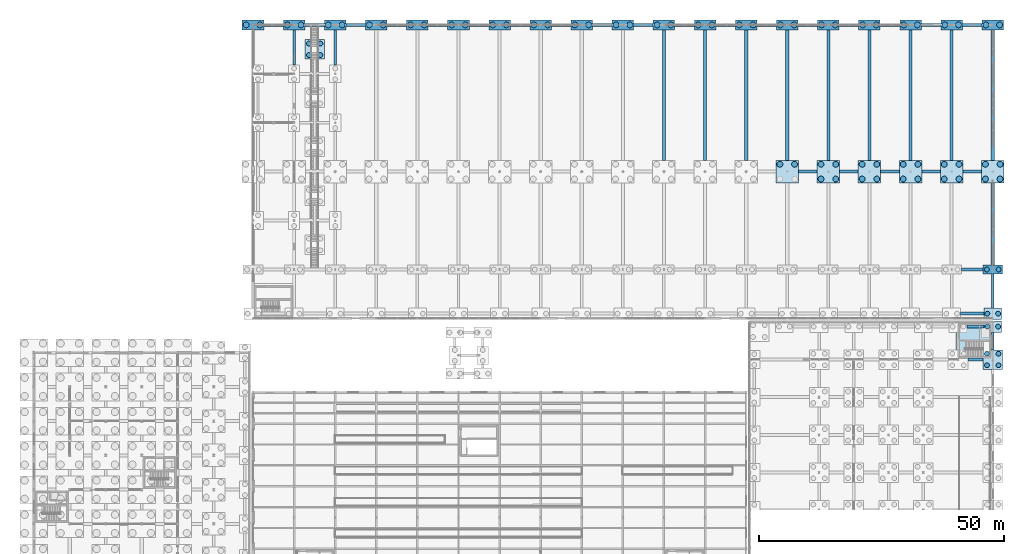
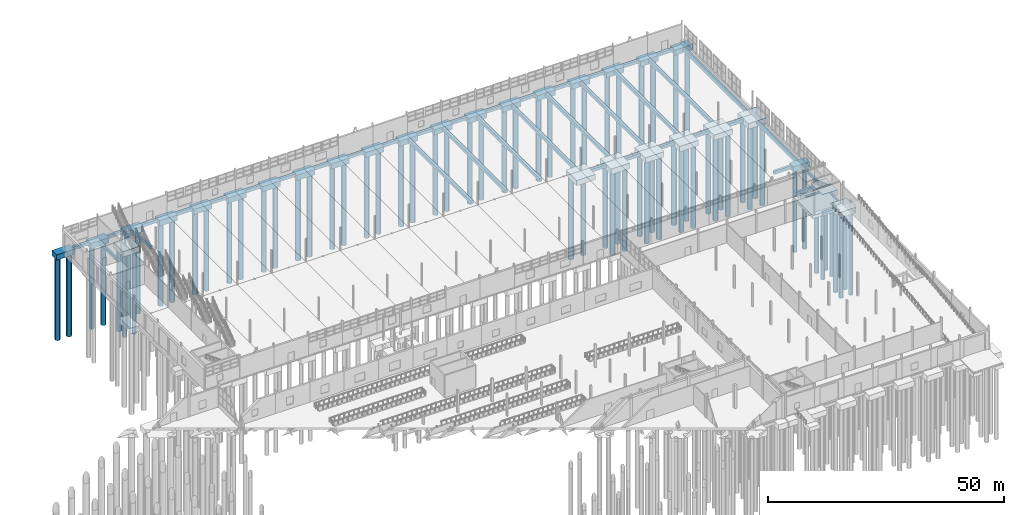
# One storey, part 10 of 139: 74 piles, 72 footings.
"""IFC4 building model written with IfcOpenShell, lengths in metres."""

from ifc_helpers import new_model, si_unit, direction, frame, origin, origin_2d, place, context, subcontext, project, spatial, polyline, rectangle, circle, outline, extrude, material, material_profile, profile_set, type_object, element, save


model = new_model("IFC4")

# Units and contexts
model_context = context("Model", 3, precision=1e-05, world=origin(), true_north=direction((0.0, 1.0)))
body_context = subcontext(model_context, "Body", "Model", "MODEL_VIEW")
ifc_project = project(units=[si_unit("LENGTHUNIT", "METRE"), si_unit("AREAUNIT", "SQUARE_METRE"), si_unit("VOLUMEUNIT", "CUBIC_METRE"), si_unit("PLANEANGLEUNIT", "RADIAN"), si_unit("MASSUNIT", "GRAM", prefix="KILO")], contexts=[model_context])

# Site, building, storey
site_placement = place(None, origin())
site = spatial("IfcSite", under=ifc_project, at=site_placement, CompositionType="ELEMENT")
building_placement = place(site_placement, origin())
building = spatial("IfcBuilding", under=site, at=building_placement, Name="Kazenagashi Tramway Depot", CompositionType="ELEMENT")
storey_placement = place(building_placement, origin())
storey = spatial("IfcBuildingStorey", under=building, at=storey_placement, Name="L01", CompositionType="ELEMENT", Elevation=0.0)

# Piles
ifc_material = material(Name="Concrete Fc30", Category="concrete")
ifc_material_profile_1 = material_profile(ifc_material, circle(Radius=0.5, at=origin_2d()), Name="PILE-1000")
ifc_profile_set_1 = profile_set([ifc_material_profile_1], Name="Concrete Fc30")
pile_type_1 = type_object("IfcPileType", Name="BP-01", PredefinedType="BORED", material=ifc_profile_set_1)
for number, where, z_axis, x_axis, name in (
    (1, (194.9, 70.975, -1.65), (0.0, 0.0, -1.0), (1.0, 0.0, 0.0), "Bored Pile BP-01 PILE-0145"),
    (2, (197.1, 70.975, -1.65), (0.0, 0.0, -1.0), (1.0, 0.0, 0.0), "Bored Pile BP-01 PILE-0146"),
    (3, (194.8, 80.0, -1.65), (0.0, 0.0, -1.0), (1.0, 0.0, 0.0), "Bored Pile BP-01 PILE-0189"),
    (4, (197.2, 80.0, -1.65), (0.0, 0.0, -1.0), (1.0, 0.0, 0.0), "Bored Pile BP-01 PILE-0190"),
    (5, (194.825, 60.425, -1.65), (0.0, 0.0, -1.0), (1.0, 0.0, 0.0), "Bored Pile BP-01 PILE-0705"),
    (6, (197.175, 60.425, -1.65), (0.0, 0.0, -1.0), (1.0, 0.0, 0.0), "Bored Pile BP-01 PILE-0706"),
    (7, (194.825, 62.775, -1.65), (0.0, 0.0, -1.0), (1.0, 0.0, 0.0), "Bored Pile BP-01 PILE-0707"),
    (8, (197.175, 62.775, -1.65), (0.0, 0.0, -1.0), (1.0, 0.0, 0.0), "Bored Pile BP-01 PILE-0708"),
    (9, (194.9, 68.325, -1.65), (0.0, 0.0, -1.0), (1.0, 0.0, 0.0), "Bored Pile BP-01 PILE-0709"),
    (10, (197.1, 68.325, -1.65), (0.0, 0.0, -1.0), (1.0, 0.0, 0.0), "Bored Pile BP-01 PILE-0710"),
    (11, (56.225, 123.83, -1.65), (0.0, 0.0, -1.0), (1.0, 0.0, 0.0), "Bored Pile BP-01 PILE-1047"),
    (12, (58.575, 123.83, -1.65), (0.0, 0.0, -1.0), (1.0, 0.0, 0.0), "Bored Pile BP-01 PILE-1048"),
    (13, (56.225, 126.18, -1.65), (0.0, 0.0, -1.0), (1.0, 0.0, 0.0), "Bored Pile BP-01 PILE-1049"),
    (14, (58.575, 126.18, -1.65), (0.0, 0.0, -1.0), (1.0, 0.0, 0.0), "Bored Pile BP-01 PILE-1050"),
):
    element("IfcPile", number, at=place(storey_placement, frame(where, z_axis=z_axis, x_axis=x_axis)), inside=storey, type_object=pile_type_1, Name=name, PredefinedType="BORED", context=body_context, shape_type="SweptSolid", body=[
        extrude(circle(Radius=0.5, at=origin_2d()), origin(), (0.0, 0.0, 1.0), 21.35),
    ])
ifc_material_profile_2 = material_profile(ifc_material, circle(Radius=0.6, at=origin_2d()), Name="PILE-1200")
ifc_profile_set_2 = profile_set([ifc_material_profile_2], Name="Concrete Fc30")
pile_type_2 = type_object("IfcPileType", Name="BP-02", PredefinedType="BORED", material=ifc_profile_set_2)
for number, where, z_axis, x_axis, name in (
    (15, (43.4, 130.0, -1.65), (0.0, 0.0, -1.0), (1.0, 0.0, 0.0), "Bored Pile BP-02 PILE-0007"),
    (16, (46.2, 130.0, -1.65), (0.0, 0.0, -1.0), (1.0, 0.0, 0.0), "Bored Pile BP-02 PILE-0008"),
    (17, (51.8, 130.0, -1.65), (0.0, 0.0, -1.0), (1.0, 0.0, 0.0), "Bored Pile BP-02 PILE-0015"),
    (18, (54.6, 130.0, -1.65), (0.0, 0.0, -1.0), (1.0, 0.0, 0.0), "Bored Pile BP-02 PILE-0016"),
    (19, (60.2, 130.0, -1.65), (0.0, 0.0, -1.0), (1.0, 0.0, 0.0), "Bored Pile BP-02 PILE-0023"),
    (20, (63.0, 130.0, -1.65), (0.0, 0.0, -1.0), (1.0, 0.0, 0.0), "Bored Pile BP-02 PILE-0024"),
    (21, (68.6, 130.0, -1.65), (0.0, 0.0, -1.0), (1.0, 0.0, 0.0), "Bored Pile BP-02 PILE-0031"),
    (22, (71.4, 130.0, -1.65), (0.0, 0.0, -1.0), (1.0, 0.0, 0.0), "Bored Pile BP-02 PILE-0032"),
    (23, (77.0, 130.0, -1.65), (0.0, 0.0, -1.0), (1.0, 0.0, 0.0), "Bored Pile BP-02 PILE-0039"),
    (24, (79.8, 130.0, -1.65), (0.0, 0.0, -1.0), (1.0, 0.0, 0.0), "Bored Pile BP-02 PILE-0040"),
    (25, (85.4, 130.0, -1.65), (0.0, 0.0, -1.0), (1.0, 0.0, 0.0), "Bored Pile BP-02 PILE-0047"),
    (26, (88.2, 130.0, -1.65), (0.0, 0.0, -1.0), (1.0, 0.0, 0.0), "Bored Pile BP-02 PILE-0048"),
    (27, (93.8, 130.0, -1.65), (0.0, 0.0, -1.0), (1.0, 0.0, 0.0), "Bored Pile BP-02 PILE-0055"),
    (28, (96.6, 130.0, -1.65), (0.0, 0.0, -1.0), (1.0, 0.0, 0.0), "Bored Pile BP-02 PILE-0056"),
    (29, (102.2, 130.0, -1.65), (0.0, 0.0, -1.0), (1.0, 0.0, 0.0), "Bored Pile BP-02 PILE-0063"),
    (30, (105.0, 130.0, -1.65), (0.0, 0.0, -1.0), (1.0, 0.0, 0.0), "Bored Pile BP-02 PILE-0064"),
    (31, (110.6, 130.0, -1.65), (0.0, 0.0, -1.0), (1.0, 0.0, 0.0), "Bored Pile BP-02 PILE-0071"),
    (32, (113.4, 130.0, -1.65), (0.0, 0.0, -1.0), (1.0, 0.0, 0.0), "Bored Pile BP-02 PILE-0072"),
    (33, (119.0, 130.0, -1.65), (0.0, 0.0, -1.0), (1.0, 0.0, 0.0), "Bored Pile BP-02 PILE-0079"),
    (34, (121.8, 130.0, -1.65), (0.0, 0.0, -1.0), (1.0, 0.0, 0.0), "Bored Pile BP-02 PILE-0080"),
    (35, (127.4, 130.0, -1.65), (0.0, 0.0, -1.0), (1.0, 0.0, 0.0), "Bored Pile BP-02 PILE-0087"),
    (36, (130.2, 130.0, -1.65), (0.0, 0.0, -1.0), (1.0, 0.0, 0.0), "Bored Pile BP-02 PILE-0088"),
    (37, (135.8, 130.0, -1.65), (0.0, 0.0, -1.0), (1.0, 0.0, 0.0), "Bored Pile BP-02 PILE-0095"),
    (38, (138.6, 130.0, -1.65), (0.0, 0.0, -1.0), (1.0, 0.0, 0.0), "Bored Pile BP-02 PILE-0096"),
    (39, (144.2, 130.0, -1.65), (0.0, 0.0, -1.0), (1.0, 0.0, 0.0), "Bored Pile BP-02 PILE-0103"),
    (40, (147.0, 130.0, -1.65), (0.0, 0.0, -1.0), (1.0, 0.0, 0.0), "Bored Pile BP-02 PILE-0104"),
    (41, (152.5, 101.5, -1.65), (0.0, 0.0, -1.0), (1.0, 0.0, 0.0), "Bored Pile BP-02 PILE-0109"),
    (42, (155.5, 101.5, -1.65), (0.0, 0.0, -1.0), (1.0, 0.0, 0.0), "Bored Pile BP-02 PILE-0110"),
    (43, (152.6, 130.0, -1.65), (0.0, 0.0, -1.0), (1.0, 0.0, 0.0), "Bored Pile BP-02 PILE-0111"),
    (44, (155.4, 130.0, -1.65), (0.0, 0.0, -1.0), (1.0, 0.0, 0.0), "Bored Pile BP-02 PILE-0112"),
    (45, (160.9, 98.5, -1.65), (0.0, 0.0, -1.0), (1.0, 0.0, 0.0), "Bored Pile BP-02 PILE-0115"),
    (46, (163.9, 98.5, -1.65), (0.0, 0.0, -1.0), (1.0, 0.0, 0.0), "Bored Pile BP-02 PILE-0116"),
    (47, (160.9, 101.5, -1.65), (0.0, 0.0, -1.0), (1.0, 0.0, 0.0), "Bored Pile BP-02 PILE-0117"),
    (48, (163.9, 101.5, -1.65), (0.0, 0.0, -1.0), (1.0, 0.0, 0.0), "Bored Pile BP-02 PILE-0118"),
    (49, (161.0, 130.0, -1.65), (0.0, 0.0, -1.0), (1.0, 0.0, 0.0), "Bored Pile BP-02 PILE-0119"),
    (50, (163.8, 130.0, -1.65), (0.0, 0.0, -1.0), (1.0, 0.0, 0.0), "Bored Pile BP-02 PILE-0120"),
    (51, (169.3, 98.5, -1.65), (0.0, 0.0, -1.0), (1.0, 0.0, 0.0), "Bored Pile BP-02 PILE-0123"),
    (52, (172.3, 98.5, -1.65), (0.0, 0.0, -1.0), (1.0, 0.0, 0.0), "Bored Pile BP-02 PILE-0124"),
    (53, (169.3, 101.5, -1.65), (0.0, 0.0, -1.0), (1.0, 0.0, 0.0), "Bored Pile BP-02 PILE-0125"),
    (54, (172.3, 101.5, -1.65), (0.0, 0.0, -1.0), (1.0, 0.0, 0.0), "Bored Pile BP-02 PILE-0126"),
    (55, (169.4, 130.0, -1.65), (0.0, 0.0, -1.0), (1.0, 0.0, 0.0), "Bored Pile BP-02 PILE-0127"),
    (56, (172.2, 130.0, -1.65), (0.0, 0.0, -1.0), (1.0, 0.0, 0.0), "Bored Pile BP-02 PILE-0128"),
    (57, (177.7, 98.5, -1.65), (0.0, 0.0, -1.0), (1.0, 0.0, 0.0), "Bored Pile BP-02 PILE-0131"),
    (58, (180.7, 98.5, -1.65), (0.0, 0.0, -1.0), (1.0, 0.0, 0.0), "Bored Pile BP-02 PILE-0132"),
    (59, (177.7, 101.5, -1.65), (0.0, 0.0, -1.0), (1.0, 0.0, 0.0), "Bored Pile BP-02 PILE-0133"),
    (60, (180.7, 101.5, -1.65), (0.0, 0.0, -1.0), (1.0, 0.0, 0.0), "Bored Pile BP-02 PILE-0134"),
    (61, (177.8, 130.0, -1.65), (0.0, 0.0, -1.0), (1.0, 0.0, 0.0), "Bored Pile BP-02 PILE-0135"),
    (62, (180.6, 130.0, -1.65), (0.0, 0.0, -1.0), (1.0, 0.0, 0.0), "Bored Pile BP-02 PILE-0136"),
    (63, (186.1, 98.5, -1.65), (0.0, 0.0, -1.0), (1.0, 0.0, 0.0), "Bored Pile BP-02 PILE-0139"),
    (64, (189.1, 98.5, -1.65), (0.0, 0.0, -1.0), (1.0, 0.0, 0.0), "Bored Pile BP-02 PILE-0140"),
    (65, (186.1, 101.5, -1.65), (0.0, 0.0, -1.0), (1.0, 0.0, 0.0), "Bored Pile BP-02 PILE-0141"),
    (66, (189.1, 101.5, -1.65), (0.0, 0.0, -1.0), (1.0, 0.0, 0.0), "Bored Pile BP-02 PILE-0142"),
    (67, (186.2, 130.0, -1.65), (0.0, 0.0, -1.0), (1.0, 0.0, 0.0), "Bored Pile BP-02 PILE-0143"),
    (68, (189.0, 130.0, -1.65), (0.0, 0.0, -1.0), (1.0, 0.0, 0.0), "Bored Pile BP-02 PILE-0144"),
    (69, (194.5, 98.5, -1.65), (0.0, 0.0, -1.0), (1.0, 0.0, 0.0), "Bored Pile BP-02 PILE-0147"),
    (70, (197.5, 98.5, -1.65), (0.0, 0.0, -1.0), (1.0, 0.0, 0.0), "Bored Pile BP-02 PILE-0148"),
    (71, (194.5, 101.5, -1.65), (0.0, 0.0, -1.0), (1.0, 0.0, 0.0), "Bored Pile BP-02 PILE-0149"),
    (72, (197.5, 101.5, -1.65), (0.0, 0.0, -1.0), (1.0, 0.0, 0.0), "Bored Pile BP-02 PILE-0150"),
    (73, (194.6, 130.0, -1.65), (0.0, 0.0, -1.0), (1.0, 0.0, 0.0), "Bored Pile BP-02 PILE-0151"),
    (74, (197.4, 130.0, -1.65), (0.0, 0.0, -1.0), (1.0, 0.0, 0.0), "Bored Pile BP-02 PILE-0152"),
):
    element("IfcPile", number, at=place(storey_placement, frame(where, z_axis=z_axis, x_axis=x_axis)), inside=storey, type_object=pile_type_2, Name=name, PredefinedType="BORED", context=body_context, shape_type="SweptSolid", body=[
        extrude(circle(Radius=0.6, at=origin_2d()), origin(), (0.0, 0.0, 1.0), 21.35),
    ])

# Footings
footing_type_1 = type_object("IfcFootingType", Name="FB-01", PredefinedType="FOOTING_BEAM", material=ifc_material)
footing_1_placement = place(storey_placement, frame((0.0, 0.0, -1.15)))
element("IfcFooting", 75, at=footing_1_placement, inside=storey, type_object=footing_type_1, Name="Footing Tie Beam FB-0128", PredefinedType="FOOTING_BEAM", context=body_context, shape_type="SweptSolid", body=[
    extrude(outline(polyline([(190.9, 61.3), (194.0, 61.3), (194.0, 61.9), (190.9, 61.9), (190.9, 61.3)])), origin(), (0.0, 0.0, 1.0), 0.8),
])
footing_2_placement = place(storey_placement, frame((0.0, 0.0, -1.15)))
element("IfcFooting", 76, at=footing_2_placement, inside=storey, type_object=footing_type_1, Name="Footing Tie Beam FB-0142", PredefinedType="FOOTING_BEAM", context=body_context, shape_type="SweptSolid", body=[
    extrude(outline(polyline([(190.72, 68.025), (194.18, 68.025), (194.18, 68.625), (190.72, 68.625), (190.72, 68.025)])), origin(), (0.0, 0.0, 1.0), 0.8),
])
footing_3_placement = place(storey_placement, frame((0.0, 0.0, -1.15)))
element("IfcFooting", 77, at=footing_3_placement, inside=storey, type_object=footing_type_1, Name="Footing Tie Beam FB-0160", PredefinedType="FOOTING_BEAM", context=body_context, shape_type="SweptSolid", body=[
    extrude(outline(polyline([(189.42, 70.675), (194.18, 70.675), (194.18, 71.275), (189.42, 71.275), (189.42, 70.675)])), origin(), (0.0, 0.0, 1.0), 0.8),
])
footing_4_placement = place(storey_placement, frame((0.0, 0.0, -1.15)))
element("IfcFooting", 78, at=footing_4_placement, inside=storey, type_object=footing_type_1, Name="Footing Tie Beam FB-0178", PredefinedType="FOOTING_BEAM", context=body_context, shape_type="SweptSolid", body=[
    extrude(outline(polyline([(189.6, 79.7), (194.0, 79.7), (194.0, 80.3), (189.6, 80.3), (189.6, 79.7)])), origin(), (0.0, 0.0, 1.0), 0.8),
])
footing_5_placement = place(storey_placement, frame((0.0, 0.0, -1.15)))
element("IfcFooting", 79, at=footing_5_placement, inside=storey, type_object=footing_type_1, Name="Footing Tie Beam FB-0194", PredefinedType="FOOTING_BEAM", context=body_context, shape_type="SweptSolid", body=[
    extrude(outline(polyline([(156.3, 99.7), (160.1, 99.7), (160.1, 100.3), (156.3, 100.3), (156.3, 99.7)])), origin(), (0.0, 0.0, 1.0), 0.8),
])
footing_6_placement = place(storey_placement, frame((0.0, 0.0, -1.15)))
element("IfcFooting", 80, at=footing_6_placement, inside=storey, type_object=footing_type_1, Name="Footing Tie Beam FB-0195", PredefinedType="FOOTING_BEAM", context=body_context, shape_type="SweptSolid", body=[
    extrude(outline(polyline([(164.7, 99.7), (168.5, 99.7), (168.5, 100.3), (164.7, 100.3), (164.7, 99.7)])), origin(), (0.0, 0.0, 1.0), 0.8),
])
footing_7_placement = place(storey_placement, frame((0.0, 0.0, -1.15)))
element("IfcFooting", 81, at=footing_7_placement, inside=storey, type_object=footing_type_1, Name="Footing Tie Beam FB-0196", PredefinedType="FOOTING_BEAM", context=body_context, shape_type="SweptSolid", body=[
    extrude(outline(polyline([(173.1, 99.7), (176.9, 99.7), (176.9, 100.3), (173.1, 100.3), (173.1, 99.7)])), origin(), (0.0, 0.0, 1.0), 0.8),
])
footing_8_placement = place(storey_placement, frame((0.0, 0.0, -1.15)))
element("IfcFooting", 82, at=footing_8_placement, inside=storey, type_object=footing_type_1, Name="Footing Tie Beam FB-0197", PredefinedType="FOOTING_BEAM", context=body_context, shape_type="SweptSolid", body=[
    extrude(outline(polyline([(181.5, 99.7), (185.3, 99.7), (185.3, 100.3), (181.5, 100.3), (181.5, 99.7)])), origin(), (0.0, 0.0, 1.0), 0.8),
])
footing_9_placement = place(storey_placement, frame((0.0, 0.0, -1.15)))
element("IfcFooting", 83, at=footing_9_placement, inside=storey, type_object=footing_type_1, Name="Footing Tie Beam FB-0198", PredefinedType="FOOTING_BEAM", context=body_context, shape_type="SweptSolid", body=[
    extrude(outline(polyline([(189.9, 99.7), (193.7, 99.7), (193.7, 100.3), (189.9, 100.3), (189.9, 99.7)])), origin(), (0.0, 0.0, 1.0), 0.8),
])
footing_10_placement = place(storey_placement, frame((0.0, 0.0, -1.15)))
element("IfcFooting", 84, at=footing_10_placement, inside=storey, type_object=footing_type_1, Name="Footing Tie Beam FB-0203", PredefinedType="FOOTING_BEAM", context=body_context, shape_type="SweptSolid", body=[
    extrude(outline(polyline([(47.0, 129.7), (51.0, 129.7), (51.0, 130.3), (47.0, 130.3), (47.0, 129.7)])), origin(), (0.0, 0.0, 1.0), 0.8),
])
footing_11_placement = place(storey_placement, frame((0.0, 0.0, -1.15)))
element("IfcFooting", 85, at=footing_11_placement, inside=storey, type_object=footing_type_1, Name="Footing Tie Beam FB-0204", PredefinedType="FOOTING_BEAM", context=body_context, shape_type="SweptSolid", body=[
    extrude(outline(polyline([(55.4, 129.7), (59.4, 129.7), (59.4, 130.3), (55.4, 130.3), (55.4, 129.7)])), origin(), (0.0, 0.0, 1.0), 0.8),
])
footing_12_placement = place(storey_placement, frame((0.0, 0.0, -1.15)))
element("IfcFooting", 86, at=footing_12_placement, inside=storey, type_object=footing_type_1, Name="Footing Tie Beam FB-0205", PredefinedType="FOOTING_BEAM", context=body_context, shape_type="SweptSolid", body=[
    extrude(outline(polyline([(63.8, 129.7), (67.8, 129.7), (67.8, 130.3), (63.8, 130.3), (63.8, 129.7)])), origin(), (0.0, 0.0, 1.0), 0.8),
])
footing_13_placement = place(storey_placement, frame((0.0, 0.0, -1.15)))
element("IfcFooting", 87, at=footing_13_placement, inside=storey, type_object=footing_type_1, Name="Footing Tie Beam FB-0206", PredefinedType="FOOTING_BEAM", context=body_context, shape_type="SweptSolid", body=[
    extrude(outline(polyline([(72.2, 129.7), (76.2, 129.7), (76.2, 130.3), (72.2, 130.3), (72.2, 129.7)])), origin(), (0.0, 0.0, 1.0), 0.8),
])
footing_14_placement = place(storey_placement, frame((0.0, 0.0, -1.15)))
element("IfcFooting", 88, at=footing_14_placement, inside=storey, type_object=footing_type_1, Name="Footing Tie Beam FB-0207", PredefinedType="FOOTING_BEAM", context=body_context, shape_type="SweptSolid", body=[
    extrude(outline(polyline([(80.6, 129.7), (84.6, 129.7), (84.6, 130.3), (80.6, 130.3), (80.6, 129.7)])), origin(), (0.0, 0.0, 1.0), 0.8),
])
footing_15_placement = place(storey_placement, frame((0.0, 0.0, -1.15)))
element("IfcFooting", 89, at=footing_15_placement, inside=storey, type_object=footing_type_1, Name="Footing Tie Beam FB-0208", PredefinedType="FOOTING_BEAM", context=body_context, shape_type="SweptSolid", body=[
    extrude(outline(polyline([(89.0, 129.7), (93.0, 129.7), (93.0, 130.3), (89.0, 130.3), (89.0, 129.7)])), origin(), (0.0, 0.0, 1.0), 0.8),
])
footing_16_placement = place(storey_placement, frame((0.0, 0.0, -1.15)))
element("IfcFooting", 90, at=footing_16_placement, inside=storey, type_object=footing_type_1, Name="Footing Tie Beam FB-0209", PredefinedType="FOOTING_BEAM", context=body_context, shape_type="SweptSolid", body=[
    extrude(outline(polyline([(97.4, 129.7), (101.4, 129.7), (101.4, 130.3), (97.4, 130.3), (97.4, 129.7)])), origin(), (0.0, 0.0, 1.0), 0.8),
])
footing_17_placement = place(storey_placement, frame((0.0, 0.0, -1.15)))
element("IfcFooting", 91, at=footing_17_placement, inside=storey, type_object=footing_type_1, Name="Footing Tie Beam FB-0210", PredefinedType="FOOTING_BEAM", context=body_context, shape_type="SweptSolid", body=[
    extrude(outline(polyline([(105.8, 129.7), (109.8, 129.7), (109.8, 130.3), (105.8, 130.3), (105.8, 129.7)])), origin(), (0.0, 0.0, 1.0), 0.8),
])
footing_18_placement = place(storey_placement, frame((0.0, 0.0, -1.15)))
element("IfcFooting", 92, at=footing_18_placement, inside=storey, type_object=footing_type_1, Name="Footing Tie Beam FB-0211", PredefinedType="FOOTING_BEAM", context=body_context, shape_type="SweptSolid", body=[
    extrude(outline(polyline([(114.2, 129.7), (118.2, 129.7), (118.2, 130.3), (114.2, 130.3), (114.2, 129.7)])), origin(), (0.0, 0.0, 1.0), 0.8),
])
footing_19_placement = place(storey_placement, frame((0.0, 0.0, -1.15)))
element("IfcFooting", 93, at=footing_19_placement, inside=storey, type_object=footing_type_1, Name="Footing Tie Beam FB-0212", PredefinedType="FOOTING_BEAM", context=body_context, shape_type="SweptSolid", body=[
    extrude(outline(polyline([(122.6, 129.7), (126.6, 129.7), (126.6, 130.3), (122.6, 130.3), (122.6, 129.7)])), origin(), (0.0, 0.0, 1.0), 0.8),
])
footing_20_placement = place(storey_placement, frame((0.0, 0.0, -1.15)))
element("IfcFooting", 94, at=footing_20_placement, inside=storey, type_object=footing_type_1, Name="Footing Tie Beam FB-0213", PredefinedType="FOOTING_BEAM", context=body_context, shape_type="SweptSolid", body=[
    extrude(outline(polyline([(131.0, 129.7), (135.0, 129.7), (135.0, 130.3), (131.0, 130.3), (131.0, 129.7)])), origin(), (0.0, 0.0, 1.0), 0.8),
])
footing_21_placement = place(storey_placement, frame((0.0, 0.0, -1.15)))
element("IfcFooting", 95, at=footing_21_placement, inside=storey, type_object=footing_type_1, Name="Footing Tie Beam FB-0214", PredefinedType="FOOTING_BEAM", context=body_context, shape_type="SweptSolid", body=[
    extrude(outline(polyline([(139.4, 129.7), (143.4, 129.7), (143.4, 130.3), (139.4, 130.3), (139.4, 129.7)])), origin(), (0.0, 0.0, 1.0), 0.8),
])
footing_22_placement = place(storey_placement, frame((0.0, 0.0, -1.15)))
element("IfcFooting", 96, at=footing_22_placement, inside=storey, type_object=footing_type_1, Name="Footing Tie Beam FB-0215", PredefinedType="FOOTING_BEAM", context=body_context, shape_type="SweptSolid", body=[
    extrude(outline(polyline([(147.8, 129.7), (151.8, 129.7), (151.8, 130.3), (147.8, 130.3), (147.8, 129.7)])), origin(), (0.0, 0.0, 1.0), 0.8),
])
footing_23_placement = place(storey_placement, frame((0.0, 0.0, -1.15)))
element("IfcFooting", 97, at=footing_23_placement, inside=storey, type_object=footing_type_1, Name="Footing Tie Beam FB-0216", PredefinedType="FOOTING_BEAM", context=body_context, shape_type="SweptSolid", body=[
    extrude(outline(polyline([(156.2, 129.7), (160.2, 129.7), (160.2, 130.3), (156.2, 130.3), (156.2, 129.7)])), origin(), (0.0, 0.0, 1.0), 0.8),
])
footing_24_placement = place(storey_placement, frame((0.0, 0.0, -1.15)))
element("IfcFooting", 98, at=footing_24_placement, inside=storey, type_object=footing_type_1, Name="Footing Tie Beam FB-0217", PredefinedType="FOOTING_BEAM", context=body_context, shape_type="SweptSolid", body=[
    extrude(outline(polyline([(164.6, 129.7), (168.6, 129.7), (168.6, 130.3), (164.6, 130.3), (164.6, 129.7)])), origin(), (0.0, 0.0, 1.0), 0.8),
])
footing_25_placement = place(storey_placement, frame((0.0, 0.0, -1.15)))
element("IfcFooting", 99, at=footing_25_placement, inside=storey, type_object=footing_type_1, Name="Footing Tie Beam FB-0218", PredefinedType="FOOTING_BEAM", context=body_context, shape_type="SweptSolid", body=[
    extrude(outline(polyline([(173.0, 129.7), (177.0, 129.7), (177.0, 130.3), (173.0, 130.3), (173.0, 129.7)])), origin(), (0.0, 0.0, 1.0), 0.8),
])
footing_26_placement = place(storey_placement, frame((0.0, 0.0, -1.15)))
element("IfcFooting", 100, at=footing_26_placement, inside=storey, type_object=footing_type_1, Name="Footing Tie Beam FB-0219", PredefinedType="FOOTING_BEAM", context=body_context, shape_type="SweptSolid", body=[
    extrude(outline(polyline([(181.4, 129.7), (185.4, 129.7), (185.4, 130.3), (181.4, 130.3), (181.4, 129.7)])), origin(), (0.0, 0.0, 1.0), 0.8),
])
footing_27_placement = place(storey_placement, frame((0.0, 0.0, -1.15)))
element("IfcFooting", 101, at=footing_27_placement, inside=storey, type_object=footing_type_1, Name="Footing Tie Beam FB-0220", PredefinedType="FOOTING_BEAM", context=body_context, shape_type="SweptSolid", body=[
    extrude(outline(polyline([(189.8, 129.7), (193.8, 129.7), (193.8, 130.3), (189.8, 130.3), (189.8, 129.7)])), origin(), (0.0, 0.0, 1.0), 0.8),
])
footing_type_2 = type_object("IfcFootingType", Name="FB-03", PredefinedType="FOOTING_BEAM", material=ifc_material)
footing_28_placement = place(storey_placement, frame((0.0, 0.0, -1.1)))
element("IfcFooting", 102, at=footing_28_placement, inside=storey, type_object=footing_type_2, Name="Footing Tie Beam FB-0290", PredefinedType="FOOTING_BEAM", context=body_context, shape_type="SweptSolid", body=[
    extrude(outline(polyline([(52.95, 121.82), (53.45, 121.82), (53.45, 129.0), (52.95, 129.0), (52.95, 121.82)])), origin(), (0.0, 0.0, 1.0), 0.75),
])
footing_29_placement = place(storey_placement, frame((0.0, 0.0, -1.1)))
element("IfcFooting", 103, at=footing_29_placement, inside=storey, type_object=footing_type_2, Name="Footing Tie Beam FB-0301", PredefinedType="FOOTING_BEAM", context=body_context, shape_type="SweptSolid", body=[
    extrude(outline(polyline([(61.35, 121.82), (61.85, 121.82), (61.85, 129.0), (61.35, 129.0), (61.35, 121.82)])), origin(), (0.0, 0.0, 1.0), 0.75),
])
footing_30_placement = place(storey_placement, frame((0.0, 0.0, -1.1)))
element("IfcFooting", 104, at=footing_30_placement, inside=storey, type_object=footing_type_2, Name="Footing Tie Beam FB-0422", PredefinedType="FOOTING_BEAM", context=body_context, shape_type="SweptSolid", body=[
    extrude(outline(polyline([(195.75, 63.6), (196.25, 63.6), (196.25, 67.175), (195.75, 67.175), (195.75, 63.6)])), origin(), (0.0, 0.0, 1.0), 0.75),
])
footing_31_placement = place(storey_placement, frame((0.0, 0.0, -1.1)))
element("IfcFooting", 105, at=footing_31_placement, inside=storey, type_object=footing_type_2, Name="Footing Tie Beam FB-0423", PredefinedType="FOOTING_BEAM", context=body_context, shape_type="SweptSolid", body=[
    extrude(outline(polyline([(195.75, 72.125), (196.25, 72.125), (196.25, 79.1), (195.75, 79.1), (195.75, 72.125)])), origin(), (0.0, 0.0, 1.0), 0.75),
])
footing_type_3 = type_object("IfcFootingType", Name="FB-04", PredefinedType="FOOTING_BEAM", material=ifc_material)
footing_32_placement = place(storey_placement, frame((0.0, 0.0, -1.2)))
element("IfcFooting", 106, at=footing_32_placement, inside=storey, type_object=footing_type_3, Name="Footing Tie Beam FB-0341", PredefinedType="FOOTING_BEAM", context=body_context, shape_type="SweptSolid", body=[
    extrude(outline(polyline([(128.475, 102.3), (129.125, 102.3), (129.125, 129.0), (128.475, 129.0), (128.475, 102.3)])), origin(), (0.0, 0.0, 1.0), 0.85),
])
footing_33_placement = place(storey_placement, frame((0.0, 0.0, -1.2)))
element("IfcFooting", 107, at=footing_33_placement, inside=storey, type_object=footing_type_3, Name="Footing Tie Beam FB-0346", PredefinedType="FOOTING_BEAM", context=body_context, shape_type="SweptSolid", body=[
    extrude(outline(polyline([(136.875, 102.3), (137.525, 102.3), (137.525, 129.0), (136.875, 129.0), (136.875, 102.3)])), origin(), (0.0, 0.0, 1.0), 0.85),
])
footing_34_placement = place(storey_placement, frame((0.0, 0.0, -1.2)))
element("IfcFooting", 108, at=footing_34_placement, inside=storey, type_object=footing_type_3, Name="Footing Tie Beam FB-0352", PredefinedType="FOOTING_BEAM", context=body_context, shape_type="SweptSolid", body=[
    extrude(outline(polyline([(145.275, 102.3), (145.925, 102.3), (145.925, 129.0), (145.275, 129.0), (145.275, 102.3)])), origin(), (0.0, 0.0, 1.0), 0.85),
])
footing_35_placement = place(storey_placement, frame((0.0, 0.0, -1.2)))
element("IfcFooting", 109, at=footing_35_placement, inside=storey, type_object=footing_type_3, Name="Footing Tie Beam FB-0363", PredefinedType="FOOTING_BEAM", context=body_context, shape_type="SweptSolid", body=[
    extrude(outline(polyline([(153.675, 102.3), (154.325, 102.3), (154.325, 129.0), (153.675, 129.0), (153.675, 102.3)])), origin(), (0.0, 0.0, 1.0), 0.85),
])
footing_36_placement = place(storey_placement, frame((0.0, 0.0, -1.2)))
element("IfcFooting", 110, at=footing_36_placement, inside=storey, type_object=footing_type_3, Name="Footing Tie Beam FB-0375", PredefinedType="FOOTING_BEAM", context=body_context, shape_type="SweptSolid", body=[
    extrude(outline(polyline([(162.075, 102.3), (162.725, 102.3), (162.725, 129.0), (162.075, 129.0), (162.075, 102.3)])), origin(), (0.0, 0.0, 1.0), 0.85),
])
footing_37_placement = place(storey_placement, frame((0.0, 0.0, -1.2)))
element("IfcFooting", 111, at=footing_37_placement, inside=storey, type_object=footing_type_3, Name="Footing Tie Beam FB-0387", PredefinedType="FOOTING_BEAM", context=body_context, shape_type="SweptSolid", body=[
    extrude(outline(polyline([(170.475, 102.3), (171.125, 102.3), (171.125, 129.0), (170.475, 129.0), (170.475, 102.3)])), origin(), (0.0, 0.0, 1.0), 0.85),
])
footing_38_placement = place(storey_placement, frame((0.0, 0.0, -1.2)))
element("IfcFooting", 112, at=footing_38_placement, inside=storey, type_object=footing_type_3, Name="Footing Tie Beam FB-0399", PredefinedType="FOOTING_BEAM", context=body_context, shape_type="SweptSolid", body=[
    extrude(outline(polyline([(178.875, 102.3), (179.525, 102.3), (179.525, 129.0), (178.875, 129.0), (178.875, 102.3)])), origin(), (0.0, 0.0, 1.0), 0.85),
])
footing_39_placement = place(storey_placement, frame((0.0, 0.0, -1.2)))
element("IfcFooting", 113, at=footing_39_placement, inside=storey, type_object=footing_type_3, Name="Footing Tie Beam FB-0411", PredefinedType="FOOTING_BEAM", context=body_context, shape_type="SweptSolid", body=[
    extrude(outline(polyline([(187.275, 102.3), (187.925, 102.3), (187.925, 129.0), (187.275, 129.0), (187.275, 102.3)])), origin(), (0.0, 0.0, 1.0), 0.85),
])
footing_40_placement = place(storey_placement, frame((0.0, 0.0, -1.2)))
element("IfcFooting", 114, at=footing_40_placement, inside=storey, type_object=footing_type_3, Name="Footing Tie Beam FB-0424", PredefinedType="FOOTING_BEAM", context=body_context, shape_type="SweptSolid", body=[
    extrude(outline(polyline([(195.675, 80.9), (196.325, 80.9), (196.325, 97.7), (195.675, 97.7), (195.675, 80.9)])), origin(), (0.0, 0.0, 1.0), 0.85),
])
footing_41_placement = place(storey_placement, frame((0.0, 0.0, -1.2)))
element("IfcFooting", 115, at=footing_41_placement, inside=storey, type_object=footing_type_3, Name="Footing Tie Beam FB-0425", PredefinedType="FOOTING_BEAM", context=body_context, shape_type="SweptSolid", body=[
    extrude(outline(polyline([(195.675, 102.3), (196.325, 102.3), (196.325, 129.0), (195.675, 129.0), (195.675, 102.3)])), origin(), (0.0, 0.0, 1.0), 0.85),
])
footing_type_4 = type_object("IfcFootingType", Name="PC-01", PredefinedType="PILE_CAP", material=ifc_material)
footing_42_placement = place(storey_placement, frame((196.0, 80.0, -1.75), z_axis=(0.0, 0.0, 1.0), x_axis=(1.0, 0.0, 0.0)))
element("IfcFooting", 116, at=footing_42_placement, inside=storey, type_object=footing_type_4, Name="Pile Cap PC-01 CAP-076", PredefinedType="PILE_CAP", context=body_context, shape_type="SweptSolid", body=[
    extrude(rectangle(XDim=4.0, YDim=1.8, at=origin_2d()), origin(), (0.0, 0.0, 1.0), 1.4),
])
footing_type_5 = type_object("IfcFootingType", Name="PC-02", PredefinedType="PILE_CAP", material=ifc_material)
for number, where, z_axis, x_axis, name in (
    (117, (44.8, 130.0, -1.75), (0.0, 0.0, 1.0), (1.0, 0.0, 0.0), "Pile Cap PC-02 CAP-003"),
    (118, (53.2, 130.0, -1.75), (0.0, 0.0, 1.0), (1.0, 0.0, 0.0), "Pile Cap PC-02 CAP-006"),
    (119, (61.6, 130.0, -1.75), (0.0, 0.0, 1.0), (1.0, 0.0, 0.0), "Pile Cap PC-02 CAP-009"),
    (120, (70.0, 130.0, -1.75), (0.0, 0.0, 1.0), (1.0, 0.0, 0.0), "Pile Cap PC-02 CAP-012"),
    (121, (78.4, 130.0, -1.75), (0.0, 0.0, 1.0), (1.0, 0.0, 0.0), "Pile Cap PC-02 CAP-015"),
    (122, (86.8, 130.0, -1.75), (0.0, 0.0, 1.0), (1.0, 0.0, 0.0), "Pile Cap PC-02 CAP-018"),
    (123, (95.2, 130.0, -1.75), (0.0, 0.0, 1.0), (1.0, 0.0, 0.0), "Pile Cap PC-02 CAP-021"),
    (124, (103.6, 130.0, -1.75), (0.0, 0.0, 1.0), (1.0, 0.0, 0.0), "Pile Cap PC-02 CAP-024"),
    (125, (112.0, 130.0, -1.75), (0.0, 0.0, 1.0), (1.0, 0.0, 0.0), "Pile Cap PC-02 CAP-027"),
    (126, (120.4, 130.0, -1.75), (0.0, 0.0, 1.0), (1.0, 0.0, 0.0), "Pile Cap PC-02 CAP-030"),
    (127, (128.8, 130.0, -1.75), (0.0, 0.0, 1.0), (1.0, 0.0, 0.0), "Pile Cap PC-02 CAP-033"),
    (128, (137.2, 130.0, -1.75), (0.0, 0.0, 1.0), (1.0, 0.0, 0.0), "Pile Cap PC-02 CAP-036"),
    (129, (145.6, 130.0, -1.75), (0.0, 0.0, 1.0), (1.0, 0.0, 0.0), "Pile Cap PC-02 CAP-039"),
    (130, (154.0, 130.0, -1.75), (0.0, 0.0, 1.0), (1.0, 0.0, 0.0), "Pile Cap PC-02 CAP-042"),
    (131, (162.4, 130.0, -1.75), (0.0, 0.0, 1.0), (1.0, 0.0, 0.0), "Pile Cap PC-02 CAP-045"),
    (132, (170.8, 130.0, -1.75), (0.0, 0.0, 1.0), (1.0, 0.0, 0.0), "Pile Cap PC-02 CAP-048"),
    (133, (179.2, 130.0, -1.75), (0.0, 0.0, 1.0), (1.0, 0.0, 0.0), "Pile Cap PC-02 CAP-051"),
    (134, (187.6, 130.0, -1.75), (0.0, 0.0, 1.0), (1.0, 0.0, 0.0), "Pile Cap PC-02 CAP-054"),
    (135, (196.0, 130.0, -1.75), (0.0, 0.0, 1.0), (1.0, 0.0, 0.0), "Pile Cap PC-02 CAP-057"),
):
    element("IfcFooting", number, at=place(storey_placement, frame(where, z_axis=z_axis, x_axis=x_axis)), inside=storey, type_object=footing_type_5, Name=name, PredefinedType="PILE_CAP", context=body_context, shape_type="SweptSolid", body=[
        extrude(rectangle(XDim=4.4, YDim=2.0, at=origin_2d()), origin(), (0.0, 0.0, 1.0), 1.4),
    ])
footing_type_6 = type_object("IfcFootingType", Name="PC-03", PredefinedType="PILE_CAP", material=ifc_material)
for number, where, z_axis, x_axis, name in (
    (136, (196.0, 61.6, -1.75), (0.0, 0.0, 1.0), (1.0, 0.0, 0.0), "Pile Cap PC-03 CAP-228"),
    (137, (57.4, 125.005, -1.75), (0.0, 0.0, 1.0), (1.0, 0.0, 0.0), "Pile Cap PC-03 CAP-327"),
):
    element("IfcFooting", number, at=place(storey_placement, frame(where, z_axis=z_axis, x_axis=x_axis)), inside=storey, type_object=footing_type_6, Name=name, PredefinedType="PILE_CAP", context=body_context, shape_type="SweptSolid", body=[
        extrude(rectangle(XDim=4.0, YDim=4.0, at=origin_2d()), origin(), (0.0, 0.0, 1.0), 1.4),
    ])
footing_type_7 = type_object("IfcFootingType", Name="PC-04", PredefinedType="PILE_CAP", material=ifc_material)
for number, where, z_axis, x_axis, name in (
    (138, (154.0, 100.0, -1.75), (0.0, 0.0, 1.0), (1.0, 0.0, 0.0), "Pile Cap PC-04 CAP-041"),
    (139, (162.4, 100.0, -1.75), (0.0, 0.0, 1.0), (1.0, 0.0, 0.0), "Pile Cap PC-04 CAP-044"),
    (140, (170.8, 100.0, -1.75), (0.0, 0.0, 1.0), (1.0, 0.0, 0.0), "Pile Cap PC-04 CAP-047"),
    (141, (179.2, 100.0, -1.75), (0.0, 0.0, 1.0), (1.0, 0.0, 0.0), "Pile Cap PC-04 CAP-050"),
    (142, (187.6, 100.0, -1.75), (0.0, 0.0, 1.0), (1.0, 0.0, 0.0), "Pile Cap PC-04 CAP-053"),
    (143, (196.0, 100.0, -1.75), (0.0, 0.0, 1.0), (1.0, 0.0, 0.0), "Pile Cap PC-04 CAP-056"),
):
    element("IfcFooting", number, at=place(storey_placement, frame(where, z_axis=z_axis, x_axis=x_axis)), inside=storey, type_object=footing_type_7, Name=name, PredefinedType="PILE_CAP", context=body_context, shape_type="SweptSolid", body=[
        extrude(rectangle(XDim=4.6, YDim=4.6, at=origin_2d()), origin(), (0.0, 0.0, 1.0), 1.4),
    ])
footing_type_8 = type_object("IfcFootingType", Name="PC-12", PredefinedType="PILE_CAP", material=ifc_material)
for number, where, z_axis, x_axis, name in (
    (144, (196.0, 70.975, -1.75), (0.0, 0.0, 1.0), (1.0, 0.0, 0.0), "Pile Cap PC-12 CAP-055"),
    (145, (196.0, 68.325, -1.75), (0.0, 0.0, 1.0), (1.0, 0.0, 0.0), "Pile Cap PC-12 CAP-229"),
):
    element("IfcFooting", number, at=place(storey_placement, frame(where, z_axis=z_axis, x_axis=x_axis)), inside=storey, type_object=footing_type_8, Name=name, PredefinedType="PILE_CAP", context=body_context, shape_type="SweptSolid", body=[
        extrude(rectangle(XDim=3.64, YDim=2.3, at=origin_2d()), origin(), (0.0, 0.0, 1.0), 1.4),
    ])
footing_type_9 = type_object("IfcFootingType", Name="SF-02", PredefinedType="STRIP_FOOTING", material=ifc_material)
footing_43_placement = place(storey_placement, frame((0.0, 0.0, -1.2)))
element("IfcFooting", 146, at=footing_43_placement, inside=storey, type_object=footing_type_9, Name="Core Foundation Mat Strip SF-021", PredefinedType="STRIP_FOOTING", context=body_context, shape_type="SweptSolid", body=[
    extrude(outline(polyline([(188.5, 61.5), (196.1, 61.5), (196.1, 69.4), (188.5, 69.4), (188.5, 61.5)])), origin(), (0.0, 0.0, 1.0), 0.85),
])

save(model, "model.ifc")
